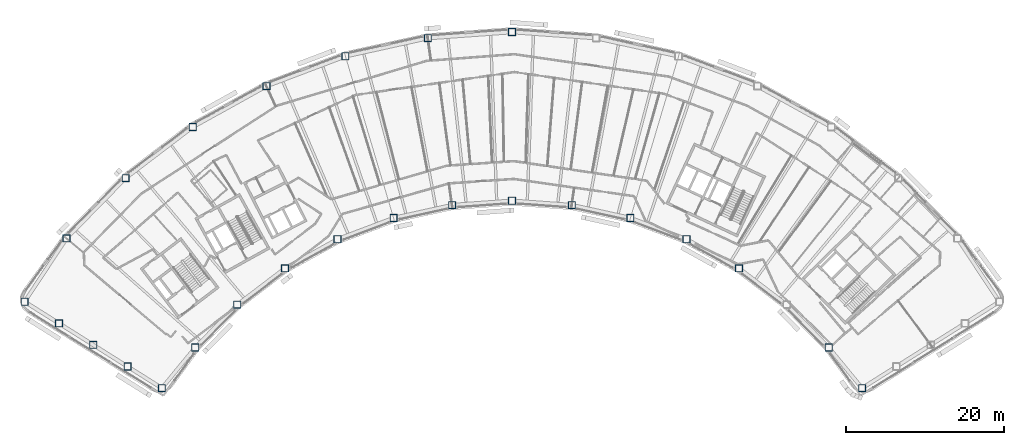
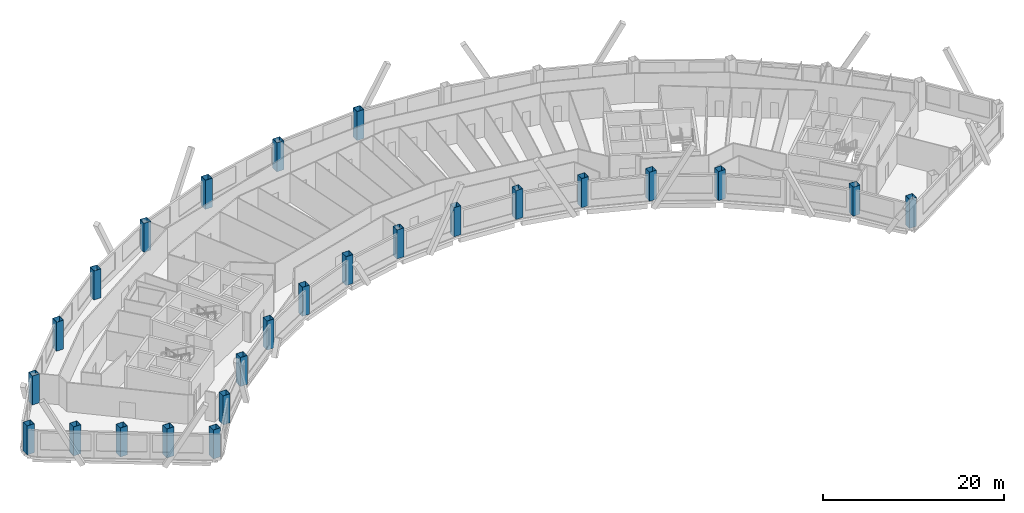
# One storey, part 1 of 14: 25 columns.
"""IFC4 building model written with IfcOpenShell, lengths in metres."""

from ifc_helpers import new_model, si_unit, direction, frame, origin, origin_2d, place, context, subcontext, project, spatial, hollow_rectangle, extrude, material, material_profile, profile_set, type_object, element, save


model = new_model("IFC4")

# Units and contexts
model_context = context("Model", 3, precision=1e-05, world=origin(), true_north=direction((0.0, 1.0)))
body_context = subcontext(model_context, "Body", "Model", "MODEL_VIEW")
ifc_project = project(units=[si_unit("LENGTHUNIT", "METRE"), si_unit("AREAUNIT", "SQUARE_METRE"), si_unit("VOLUMEUNIT", "CUBIC_METRE"), si_unit("PLANEANGLEUNIT", "RADIAN"), si_unit("MASSUNIT", "GRAM", prefix="KILO")], contexts=[model_context])

# Site, building, storey
site_placement = place(None, origin())
site = spatial("IfcSite", under=ifc_project, at=site_placement, CompositionType="ELEMENT")
building_placement = place(site_placement, origin())
building = spatial("IfcBuilding", under=site, at=building_placement, Name="Tuul Gate Civic Tower", CompositionType="ELEMENT")
storey_placement = place(building_placement, frame((0.0, 0.0, 217.89990234375)))
storey = spatial("IfcBuildingStorey", under=building, at=storey_placement, Name="Level 49", CompositionType="ELEMENT", Elevation=217.89990234375)

# Columns
ifc_material = material(Name="Steel S355", Category="steel")
ifc_material_profile = material_profile(ifc_material, hollow_rectangle(XDim=0.89990234375, YDim=0.89990234375, WallThickness=0.031982421875, at=origin_2d()), Name="BOX900x900x32")
ifc_profile_set = profile_set([ifc_material_profile], Name="Steel S355")
column_type = type_object("IfcColumnType", Name="STR-COLUMN-BOX900x900x32", PredefinedType="COLUMN", material=ifc_profile_set)
for number, where, z_axis, x_axis, name in (
    (1, (5.93994140625, 18.56494140625, 0.0), (0.0, 0.0, 1.0), (1.0, 0.0, 0.0), "Column"),
    (2, (-4.7099609375, 17.7939453125, 0.0), (0.0, 0.0, 1.0), (1.0, 0.0, 0.0), "Column"),
    (3, (-15.136962890625, 15.49609375, 0.0), (0.0, 0.0, 1.0), (1.0, 0.0, 0.0), "Column"),
    (4, (-25.1240234375, 11.718994140625, 0.0), (0.0, 0.0, 1.0), (1.0, 0.0, 0.0), "Column"),
    (5, (-34.462890625, 6.54296875, 0.0), (0.0, 0.0, 1.0), (1.0, 0.0, 0.0), "Column"),
    (6, (-42.9580078125, 0.074951171875, 0.0), (0.0, 0.0, 1.0), (1.0, 0.0, 0.0), "Column"),
    (7, (-50.431884765625, -7.550048828125, 0.0), (0.0, 0.0, 1.0), (1.0, 0.0, 0.0), "Column"),
    (8, (-55.73095703125, -15.56298828125, 0.0), (0.0, 0.0, 1.0), (1.0, 0.0, 0.0), "Column"),
    (9, (-51.388916015625, -18.297119140625, 0.0), (0.0, 0.0, 1.0), (1.0, 0.0, 0.0), "Column"),
    (10, (-47.0458984375, -21.031982421875, 0.0), (0.0, 0.0, 1.0), (1.0, 0.0, 0.0), "Column"),
    (11, (-42.7041015625, -23.76708984375, 0.0), (0.0, 0.0, 1.0), (1.0, 0.0, 0.0), "Column"),
    (12, (-38.361083984375, -26.5009765625, 0.0), (0.0, 0.0, 1.0), (1.0, 0.0, 0.0), "Column"),
    (13, (-34.14111328125, -21.35888671875, 0.0), (0.0, 0.0, 1.0), (1.0, 0.0, 0.0), "Column"),
    (14, (-28.826904296875, -15.93798828125, 0.0), (0.0, 0.0, 1.0), (1.0, 0.0, 0.0), "Column"),
    (15, (-22.787109375, -11.339111328125, 0.0), (0.0, 0.0, 1.0), (1.0, 0.0, 0.0), "Column"),
    (16, (-16.14697265625, -7.657958984375, 0.0), (0.0, 0.0, 1.0), (1.0, 0.0, 0.0), "Column"),
    (17, (-9.0458984375, -4.972900390625, 0.0), (0.0, 0.0, 1.0), (1.0, 0.0, 0.0), "Column"),
    (18, (-1.632080078125, -3.339111328125, 0.0), (0.0, 0.0, 1.0), (1.0, 0.0, 0.0), "Column"),
    (19, (5.93994140625, -2.7900390625, 0.0), (0.0, 0.0, 1.0), (1.0, 0.0, 0.0), "Column"),
    (20, (13.511962890625, -3.339111328125, 0.0), (0.0, 0.0, 1.0), (1.0, 0.0, 0.0), "Column"),
    (21, (20.925048828125, -4.972900390625, 0.0), (0.0, 0.0, 1.0), (1.0, 0.0, 0.0), "Column"),
    (22, (28.02587890625, -7.657958984375, 0.0), (0.0, 0.0, 1.0), (1.0, 0.0, 0.0), "Column"),
    (23, (34.666015625, -11.339111328125, 0.0), (0.0, 0.0, 1.0), (1.0, 0.0, 0.0), "Column"),
    (24, (46.02099609375, -21.35888671875, 0.0), (0.0, 0.0, 1.0), (1.0, 0.0, 0.0), "Column"),
    (25, (50.240966796875, -26.5009765625, 0.0), (0.0, 0.0, 1.0), (1.0, 0.0, 0.0), "Column"),
):
    element("IfcColumn", number, at=place(storey_placement, frame(where, z_axis=z_axis, x_axis=x_axis)), inside=storey, type_object=column_type, Name=name, PredefinedType="COLUMN", context=body_context, shape_type="SweptSolid", body=[
        extrude(hollow_rectangle(XDim=0.89990234375, YDim=0.89990234375, WallThickness=0.031982421875, at=origin_2d()), origin(), (0.0, 0.0, 1.0), 3.900146484375),
    ])

save(model, "model.ifc")
